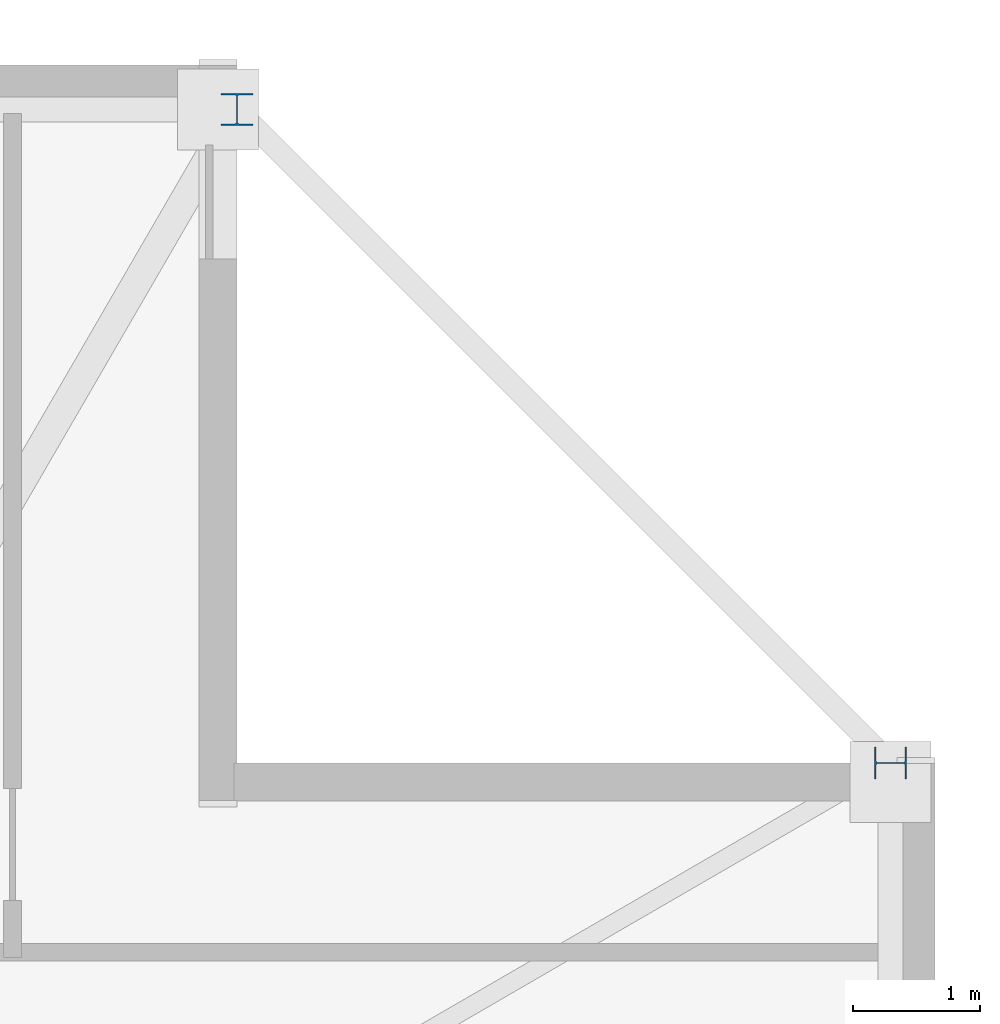
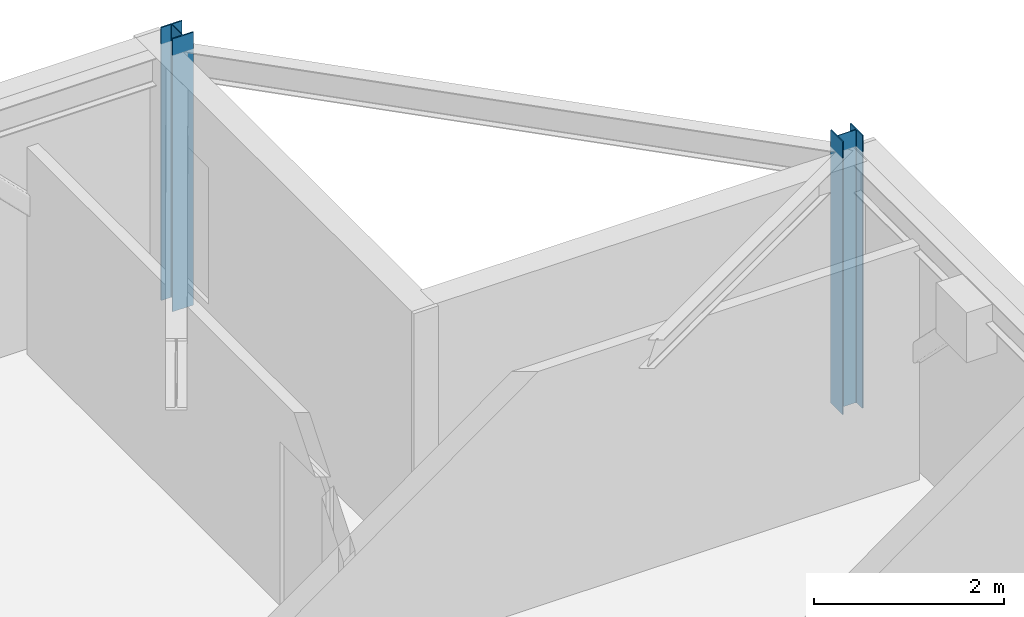
# One storey, part 5 of 14: 2 columns.
"""IFC4 building model written with IfcOpenShell, lengths in metres."""

from ifc_helpers import new_model, si_unit, direction, frame, origin, origin_2d, place, context, subcontext, project, spatial, i_section, extrude, material, material_profile, profile_set, type_object, element, save


model = new_model("IFC4")

# Units and contexts
model_context = context("Model", 3, precision=1e-05, world=origin(), true_north=direction((0.0, 1.0)))
body_context = subcontext(model_context, "Body", "Model", "MODEL_VIEW")
ifc_project = project(units=[si_unit("LENGTHUNIT", "METRE"), si_unit("AREAUNIT", "SQUARE_METRE"), si_unit("VOLUMEUNIT", "CUBIC_METRE"), si_unit("PLANEANGLEUNIT", "RADIAN"), si_unit("MASSUNIT", "GRAM", prefix="KILO")], contexts=[model_context])

# Site, building, storey
site_placement = place(None, origin())
site = spatial("IfcSite", under=ifc_project, at=site_placement, CompositionType="ELEMENT")
building_placement = place(site_placement, origin())
building = spatial("IfcBuilding", under=site, at=building_placement, Name="Cairnveth Concourse Tower", CompositionType="ELEMENT")
storey_placement = place(building_placement, frame((0.0, 0.0, 294.5)))
storey = spatial("IfcBuildingStorey", under=building, at=storey_placement, Name="L81", CompositionType="ELEMENT", Elevation=294.5)

# Columns
ifc_material = material(Name="Steel Grade 350", Category="steel")
ifc_material_profile = material_profile(ifc_material, i_section(OverallWidth=0.25390625, OverallDepth=0.25390625, WebThickness=0.008544921875, FlangeThickness=0.01416015625, FilletRadius=0.012939453125, at=origin_2d()), Name="250UC72.9")
ifc_profile_set = profile_set([ifc_material_profile], Name="Steel Grade 350")
column_type = type_object("IfcColumnType", Name="UNIVERSAL STEEL COLUMN 250UC72.9", PredefinedType="COLUMN", material=ifc_profile_set)
for number, where, z_axis, x_axis, name in (
    (1, (72.64990234375, 54.5, 0.0), (0.0, 0.0, 1.0), (0.0, 1.0, 0.0), "Column P-E4 L81"),
    (2, (67.5, 59.64990234375, 0.0), (0.0, 0.0, 1.0), (1.0, 0.0, 0.0), "Column P-N1 L81"),
):
    element("IfcColumn", number, at=place(storey_placement, frame(where, z_axis=z_axis, x_axis=x_axis)), inside=storey, type_object=column_type, Name=name, PredefinedType="COLUMN", context=body_context, shape_type="SweptSolid", body=[
        extrude(i_section(OverallWidth=0.25390625, OverallDepth=0.25390625, WebThickness=0.008544921875, FlangeThickness=0.01416015625, FilletRadius=0.012939453125, at=origin_2d()), origin(), (0.0, 0.0, 1.0), 3.5),
    ])

save(model, "model.ifc")
